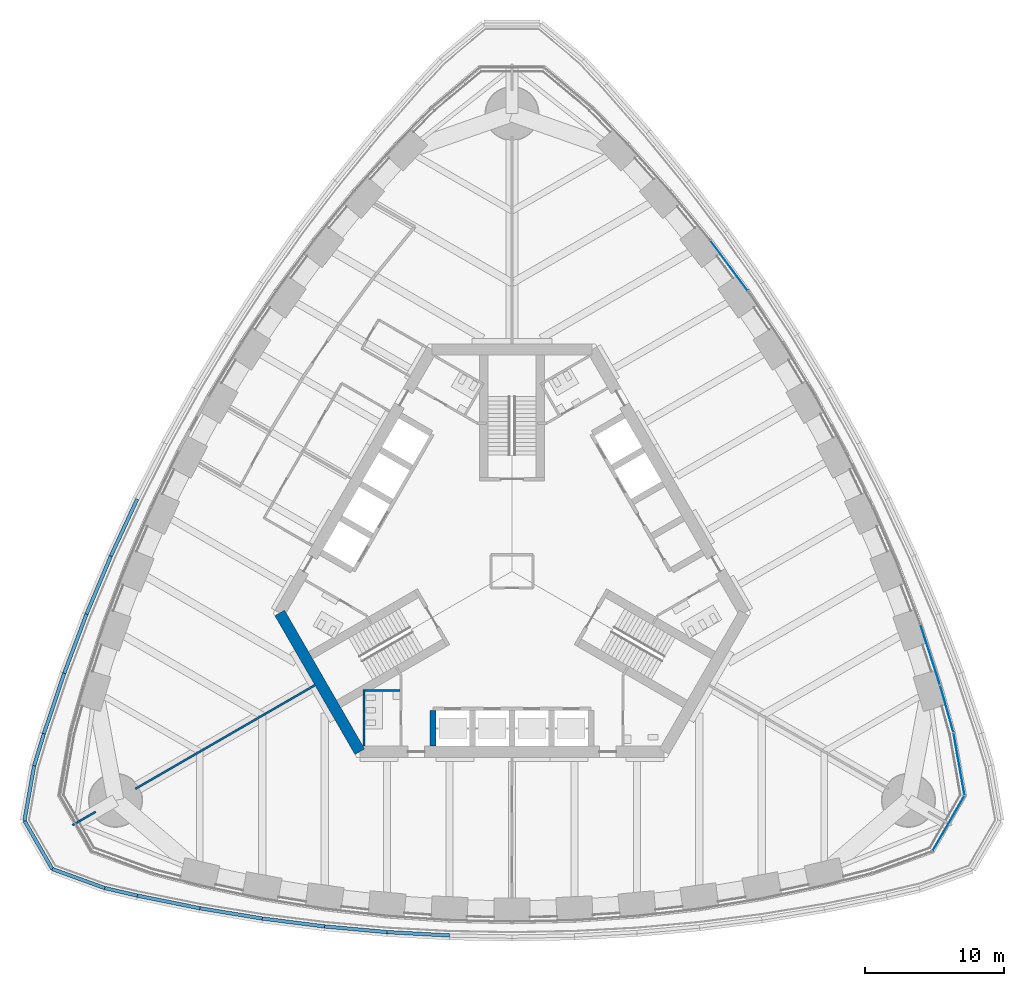
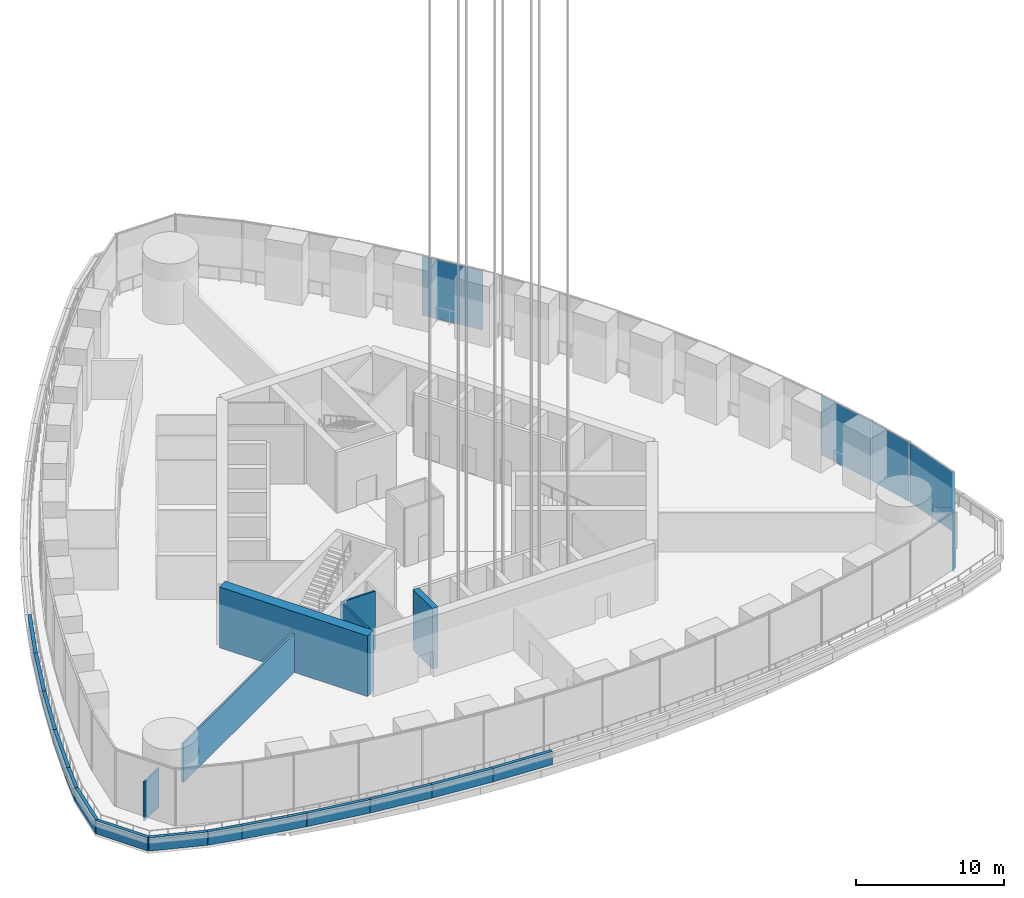
# One storey, part 12 of 31: 20 walls, 5 plates, 2 elements without a shape of their own.
"""IFC4 building model written with IfcOpenShell, lengths in metres."""

from ifc_helpers import new_model, si_unit, direction, frame, frame_2d, origin, origin_2d, place, context, subcontext, project, spatial, rectangle, extrude, material, layer, layer_set, type_object, element, aggregate, save


model = new_model("IFC4")

# Units and contexts
model_context = context("Model", 3, precision=1e-05, world=origin(), true_north=direction((0.0, 1.0)))
body_context = subcontext(model_context, "Body", "Model", "MODEL_VIEW")
ifc_project = project(units=[si_unit("LENGTHUNIT", "METRE"), si_unit("AREAUNIT", "SQUARE_METRE"), si_unit("VOLUMEUNIT", "CUBIC_METRE"), si_unit("PLANEANGLEUNIT", "RADIAN"), si_unit("MASSUNIT", "GRAM", prefix="KILO")], contexts=[model_context])

# Site, building, storey
site_placement = place(None, origin())
site = spatial("IfcSite", under=ifc_project, at=site_placement, CompositionType="ELEMENT")
building_placement = place(site_placement, origin())
building = spatial("IfcBuilding", under=site, at=building_placement, Name="Trefoil Bronze Tower", CompositionType="ELEMENT")
storey_placement = place(building_placement, frame((0.0, 0.0, 184.699951171875)))
storey = spatial("IfcBuildingStorey", under=building, at=storey_placement, Name="L42", CompositionType="ELEMENT", Elevation=184.699951171875)

# Curtain wall, plates
ifc_material_1 = material(Name="Tinted solar-control glass", Category="glass")
curtain_wall_type_1 = type_object("IfcCurtainWallType", Name="Bronze rounded corner curtain wall", PredefinedType="USERDEFINED", material=ifc_material_1)
curtain_wall_1_placement = place(storey_placement, origin())
curtain_wall_1 = element("IfcCurtainWall", 1, at=curtain_wall_1_placement, inside=storey, type_object=curtain_wall_type_1, Name="CW-B L42 K1", ObjectType="CURTAIN WALL", PredefinedType="USERDEFINED")
ifc_material_2 = material(Name="Tinted solar-control glass", Category="glass")
ifc_layer_1 = layer(ifc_material_2, 0.030029296875)
ifc_layer_set_1 = layer_set([ifc_layer_1], Name="Bronze rounded corner curtain wall glass panel")
plate_type_1 = type_object("IfcPlateType", Name="Bronze rounded corner curtain wall glass panel", PredefinedType="CURTAIN_PANEL", material=ifc_layer_set_1)
plate_1_placement = place(storey_placement, frame((31.46484375, -18.166259765625, 0.0), z_axis=(0.0, 0.0, 1.0), x_axis=(0.5, 0.866025403784, 0.0)))
plate_1 = element("IfcPlate", 2, at=plate_1_placement, type_object=plate_type_1, Name="CW-B L42 K1 panel 2", PredefinedType="CURTAIN_PANEL", context=body_context, shape_type="SweptSolid", body=[
    extrude(rectangle(XDim=4.500244140625, YDim=0.030029296875, at=origin_2d()), origin(), (0.0, 0.0, 1.0), 4.8798828125),
])
plate_2_placement = place(storey_placement, frame((32.220947265625, -13.878662109375, 0.0), z_axis=(0.0, 0.0, 1.0), x_axis=(-0.173648177667, 0.984807753012, 0.0)))
plate_2 = element("IfcPlate", 3, at=plate_2_placement, type_object=plate_type_1, Name="CW-B L42 K1 panel 3", PredefinedType="CURTAIN_PANEL", context=body_context, shape_type="SweptSolid", body=[
    extrude(rectangle(XDim=4.500244140625, YDim=0.030029296875, at=origin_2d()), origin(), (0.0, 0.0, 1.0), 4.8798828125),
])
aggregate(curtain_wall_1, [plate_1, plate_2])

ifc_material_3 = material(Name="Tinted solar-control glass", Category="glass")
curtain_wall_type_2 = type_object("IfcCurtainWallType", Name="Bronze sky lobby curtain wall", PredefinedType="USERDEFINED", material=ifc_material_3)
curtain_wall_2_placement = place(storey_placement, origin())
curtain_wall_2 = element("IfcCurtainWall", 4, at=curtain_wall_2_placement, inside=storey, type_object=curtain_wall_type_2, Name="CW-D L42 F2", ObjectType="CURTAIN WALL", PredefinedType="USERDEFINED")
ifc_material_4 = material(Name="Tinted solar-control glass", Category="glass")
ifc_layer_2 = layer(ifc_material_4, 0.030029296875)
ifc_layer_set_2 = layer_set([ifc_layer_2], Name="Bronze sky lobby curtain wall glass panel")
plate_type_2 = type_object("IfcPlateType", Name="Bronze sky lobby curtain wall glass panel", PredefinedType="CURTAIN_PANEL", material=ifc_layer_set_2)
plate_3_placement = place(storey_placement, frame((31.341064453125, -9.907958984375, 0.0), z_axis=(0.0, 0.0, 1.0), x_axis=(-0.270282222968, 0.962781138134, 0.0)))
plate_3 = element("IfcPlate", 5, at=plate_3_placement, type_object=plate_type_2, Name="CW-D L42 F2 panel 1", PredefinedType="CURTAIN_PANEL", context=body_context, shape_type="SweptSolid", body=[
    extrude(rectangle(XDim=3.503662109375, YDim=0.030029296875, at=origin_2d()), origin(), (0.0, 0.0, 1.0), 4.8798828125),
])
plate_4_placement = place(storey_placement, frame((30.14501953125, -6.002197265625, 0.0), z_axis=(0.0, 0.0, 1.0), x_axis=(-0.310148591821, 0.950688093431, 0.0)))
plate_4 = element("IfcPlate", 6, at=plate_4_placement, type_object=plate_type_2, Name="CW-D L42 F2 panel 2", PredefinedType="CURTAIN_PANEL", context=body_context, shape_type="SweptSolid", body=[
    extrude(rectangle(XDim=4.539306640625, YDim=0.030029296875, at=origin_2d()), origin(), (0.0, 0.0, 1.0), 4.8798828125),
])
plate_5_placement = place(storey_placement, frame((15.65234375, 22.04052734375, 0.0), z_axis=(0.0, 0.0, 1.0), x_axis=(-0.596161525977, 0.802864518425, 0.0)))
plate_5 = element("IfcPlate", 7, at=plate_5_placement, type_object=plate_type_2, Name="CW-D L42 F2 panel 9", PredefinedType="CURTAIN_PANEL", context=body_context, shape_type="SweptSolid", body=[
    extrude(rectangle(XDim=4.469970703125, YDim=0.030029296875, at=origin_2d()), origin(), (0.0, 0.0, 1.0), 4.8798828125),
])
aggregate(curtain_wall_2, [plate_3, plate_4, plate_5])

# Walls
ifc_material_5 = material(Name="Concrete B80", Category="concrete")
ifc_layer_3 = layer(ifc_material_5, 0.800048828125)
ifc_layer_set_3 = layer_set([ifc_layer_3], Name="Core wall 800")
wall_type_1 = type_object("IfcWallType", Name="Core wall 800", PredefinedType="SHEAR", material=ifc_layer_set_3)
wall_1_placement = place(storey_placement, frame((-16.7431640625, -3.0, 0.0), z_axis=(0.0, 0.0, 1.0), x_axis=(0.499995765644, -0.866027848477, 0.0)))
element("IfcWall", 8, at=wall_1_placement, inside=storey, type_object=wall_type_1, Name="Core short wall 3 L42", PredefinedType="SHEAR", context=body_context, shape_type="SweptSolid", body=[
    extrude(rectangle(XDim=11.546875, YDim=0.800048828125, at=frame_2d((5.7734375, 0.0))), origin(), (0.0, 0.0, 1.0), 5.0),
])
ifc_material_6 = material(Name="Concrete B80", Category="concrete")
ifc_layer_4 = layer(ifc_material_6, 0.449951171875)
ifc_layer_set_4 = layer_set([ifc_layer_4], Name="Outrigger shaft wall 450")
wall_type_2 = type_object("IfcWallType", Name="Outrigger shaft wall 450", PredefinedType="SHEAR", material=ifc_layer_set_4)
wall_2_placement = place(storey_placement, frame((-5.699951171875, -10.02490234375, 0.0), z_axis=(0.0, 0.0, 1.0), x_axis=(0.0, -1.0, 0.0)))
element("IfcWall", 9, at=wall_2_placement, inside=storey, type_object=wall_type_2, Name="Lift shaft side wall A0 L42", PredefinedType="SHEAR", context=body_context, shape_type="SweptSolid", body=[
    extrude(rectangle(XDim=2.5751953125, YDim=0.449951171875, at=frame_2d((1.28759765625, 0.0))), origin(), (0.0, 0.0, 1.0), 5.0),
])
ifc_material_7 = material(Name="Concrete B80", Category="concrete")
ifc_layer_5 = layer(ifc_material_7, 0.25)
ifc_layer_set_5 = layer_set([ifc_layer_5], Name="Parapet 250")
wall_type_3 = type_object("IfcWallType", Name="Parapet 250", PredefinedType="PARAPET", material=ifc_layer_set_5)
wall_3_placement = place(storey_placement, frame((-29.357666015625, -22.82470703125, 0.0), z_axis=(0.0, 0.0, 1.0), x_axis=(0.974203832844, -0.225669874089, 0.0)))
element("IfcWall", 10, at=wall_3_placement, inside=storey, type_object=wall_type_3, Name="Parapet L42.1", PredefinedType="PARAPET", context=body_context, shape_type="SweptSolid", body=[
    extrude(rectangle(XDim=2.420166015625, YDim=0.25, at=frame_2d((1.2099609375, 0.0))), origin(), (0.0, 0.0, 1.0), 1.10009765625),
])
wall_4_placement = place(storey_placement, frame((-27.0, -23.370849609375, 0.0), z_axis=(0.0, 0.0, 1.0), x_axis=(0.980152955069, -0.198242741781, 0.0)))
element("IfcWall", 11, at=wall_4_placement, inside=storey, type_object=wall_type_3, Name="Parapet L42.2", PredefinedType="PARAPET", context=body_context, shape_type="SweptSolid", body=[
    extrude(rectangle(XDim=4.591064453125, YDim=0.25, at=frame_2d((2.29541015625, 0.0))), origin(), (0.0, 0.0, 1.0), 1.10009765625),
])
wall_5_placement = place(storey_placement, frame((-22.5, -24.281005859375, 0.0), z_axis=(0.0, 0.0, 1.0), x_axis=(0.986764681833, -0.162158757664, 0.0)))
element("IfcWall", 12, at=wall_5_placement, inside=storey, type_object=wall_type_3, Name="Parapet L42.3", PredefinedType="PARAPET", context=body_context, shape_type="SweptSolid", body=[
    extrude(rectangle(XDim=4.560302734375, YDim=0.25, at=frame_2d((2.2802734375, 0.0))), origin(), (0.0, 0.0, 1.0), 1.10009765625),
])
wall_6_placement = place(storey_placement, frame((-18.0, -25.0205078125, 0.0), z_axis=(0.0, 0.0, 1.0), x_axis=(0.992010652594, -0.12615413247, 0.0)))
element("IfcWall", 13, at=wall_6_placement, inside=storey, type_object=wall_type_3, Name="Parapet L42.4", PredefinedType="PARAPET", context=body_context, shape_type="SweptSolid", body=[
    extrude(rectangle(XDim=4.5361328125, YDim=0.25, at=frame_2d((2.26806640625, 0.0))), origin(), (0.0, 0.0, 1.0), 1.10009765625),
])
wall_7_placement = place(storey_placement, frame((-13.5, -25.5927734375, 0.0), z_axis=(0.0, 0.0, 1.0), x_axis=(0.995930325215, -0.090126507295, 0.0)))
element("IfcWall", 14, at=wall_7_placement, inside=storey, type_object=wall_type_3, Name="Parapet L42.5", PredefinedType="PARAPET", context=body_context, shape_type="SweptSolid", body=[
    extrude(rectangle(XDim=4.518310546875, YDim=0.25, at=frame_2d((2.25927734375, 0.0))), origin(), (0.0, 0.0, 1.0), 1.10009765625),
])
wall_8_placement = place(storey_placement, frame((-9.0, -26.0, 0.0), z_axis=(0.0, 0.0, 1.0), x_axis=(0.998537376538, -0.054065771581, 0.0)))
element("IfcWall", 15, at=wall_8_placement, inside=storey, type_object=wall_type_3, Name="Parapet L42.6", PredefinedType="PARAPET", context=body_context, shape_type="SweptSolid", body=[
    extrude(rectangle(XDim=4.506591796875, YDim=0.25, at=frame_2d((2.25341796875, 0.0))), origin(), (0.0, 0.0, 1.0), 1.10009765625),
])
wall_9_placement = place(storey_placement, frame((-27.0166015625, 5.205810546875, 0.0), z_axis=(0.0, 0.0, 1.0), x_axis=(-0.41992827805, -0.90755729367, 0.0)))
element("IfcWall", 16, at=wall_9_placement, inside=storey, type_object=wall_type_3, Name="Parapet L42.44", PredefinedType="PARAPET", context=body_context, shape_type="SweptSolid", body=[
    extrude(rectangle(XDim=4.5185546875, YDim=0.25, at=frame_2d((2.25927734375, 0.0))), origin(), (0.0, 0.0, 1.0), 1.10009765625),
])
wall_10_placement = place(storey_placement, frame((-28.9140625, 1.10498046875, 0.0), z_axis=(0.0, 0.0, 1.0), x_axis=(-0.386762112496, -0.922179520667, 0.0)))
element("IfcWall", 17, at=wall_10_placement, inside=storey, type_object=wall_type_3, Name="Parapet L42.45", PredefinedType="PARAPET", context=body_context, shape_type="SweptSolid", body=[
    extrude(rectangle(XDim=4.5361328125, YDim=0.25, at=frame_2d((2.26806640625, 0.0))), origin(), (0.0, 0.0, 1.0), 1.10009765625),
])
wall_11_placement = place(storey_placement, frame((-30.66845703125, -3.078125, 0.0), z_axis=(0.0, 0.0, 1.0), x_axis=(-0.352894560512, -0.93566309597, 0.0)))
element("IfcWall", 18, at=wall_11_placement, inside=storey, type_object=wall_type_3, Name="Parapet L42.46", PredefinedType="PARAPET", context=body_context, shape_type="SweptSolid", body=[
    extrude(rectangle(XDim=4.560546875, YDim=0.25, at=frame_2d((2.2802734375, 0.0))), origin(), (0.0, 0.0, 1.0), 1.10009765625),
])
wall_12_placement = place(storey_placement, frame((-32.27783203125, -7.34521484375, 0.0), z_axis=(0.0, 0.0, 1.0), x_axis=(-0.318428474099, -0.947946890328, 0.0)))
element("IfcWall", 19, at=wall_12_placement, inside=storey, type_object=wall_type_3, Name="Parapet L42.47", PredefinedType="PARAPET", context=body_context, shape_type="SweptSolid", body=[
    extrude(rectangle(XDim=4.591064453125, YDim=0.25, at=frame_2d((2.29541015625, 0.0))), origin(), (0.0, 0.0, 1.0), 1.10009765625),
])
wall_13_placement = place(storey_placement, frame((-33.73974609375, -11.697265625, 0.0), z_axis=(0.0, 0.0, 1.0), x_axis=(-0.291639268075, -0.956528377685, 0.0)))
element("IfcWall", 20, at=wall_13_placement, inside=storey, type_object=wall_type_3, Name="Parapet L42.48", PredefinedType="PARAPET", context=body_context, shape_type="SweptSolid", body=[
    extrude(rectangle(XDim=2.420166015625, YDim=0.25, at=frame_2d((1.2099609375, 0.0))), origin(), (0.0, 0.0, 1.0), 1.10009765625),
])
for number, where, z_axis, x_axis, name in (
    (21, (-34.445556640625, -14.01220703125, 0.0), (0.0, 0.0, 1.0), (-0.173681366546, -0.984801900341, 0.0), "Parapet L42.49"),
    (22, (-35.1435546875, -17.969970703125, 0.0), (0.0, 0.0, 1.0), (0.500039726511, -0.866002466458, 0.0), "Parapet L42.50"),
    (23, (-33.134033203125, -21.4501953125, 0.0), (0.0, 0.0, 1.0), (0.939690503952, -0.342025959222, 0.0), "Parapet L42.51"),
):
    element("IfcWall", number, at=place(storey_placement, frame(where, z_axis=z_axis, x_axis=x_axis)), inside=storey, type_object=wall_type_3, Name=name, PredefinedType="PARAPET", context=body_context, shape_type="SweptSolid", body=[
        extrude(rectangle(XDim=4.018798828125, YDim=0.25, at=frame_2d((2.00927734375, 0.0))), origin(), (0.0, 0.0, 1.0), 1.10009765625),
    ])
ifc_material_8 = material(Name="Gypsum board on steel studs", Category="steel")
ifc_layer_6 = layer(ifc_material_8, 0.14990234375)
ifc_layer_set_6 = layer_set([ifc_layer_6], Name="Partition 150")
wall_type_4 = type_object("IfcWallType", Name="Partition 150", PredefinedType="PARTITIONING", material=ifc_layer_set_6)
wall_14_placement = place(storey_placement, frame((-10.659912109375, -8.5, 0.0), z_axis=(0.0, 0.0, 1.0), x_axis=(0.0, -1.0, 0.0)))
element("IfcWall", 24, at=wall_14_placement, inside=storey, type_object=wall_type_4, Name="WC partition WC (women) L42", PredefinedType="PARTITIONING", context=body_context, shape_type="SweptSolid", body=[
    extrude(rectangle(XDim=4.10009765625, YDim=0.14990234375, at=frame_2d((2.050048828125, 0.0))), origin(), (0.0, 0.0, 1.0), 4.800048828125),
])
wall_15_placement = place(storey_placement, frame((-8.074951171875, -8.574951171875, 0.0), z_axis=(0.0, 0.0, 1.0), x_axis=(-1.0, 0.0, 0.0)))
element("IfcWall", 25, at=wall_15_placement, inside=storey, type_object=wall_type_4, Name="WC partition WC (women) L42", PredefinedType="PARTITIONING", context=body_context, shape_type="SweptSolid", body=[
    extrude(rectangle(XDim=2.510009765625, YDim=0.14990234375, at=frame_2d((1.2548828125, 0.0))), origin(), (0.0, 0.0, 1.0), 4.800048828125),
])
ifc_material_9 = material(Name="Gypsum board on steel studs", Category="steel")
ifc_layer_7 = layer(ifc_material_9, 0.14990234375)
ifc_layer_set_7 = layer_set([ifc_layer_7], Name="Party wall 150")
wall_type_5 = type_object("IfcWallType", Name="Party wall 150", PredefinedType="PARTITIONING", material=ifc_layer_set_7)
wall_16_placement = place(storey_placement, frame((-14.202880859375, -8.199951171875, 0.0), z_axis=(0.0, 0.0, 1.0), x_axis=(-0.866021600284, -0.500006587798, 0.0)))
element("IfcWall", 26, at=wall_16_placement, inside=storey, type_object=wall_type_5, Name="Party wall K3 L42", PredefinedType="PARTITIONING", context=body_context, shape_type="SweptSolid", body=[
    extrude(rectangle(XDim=14.949951171875, YDim=0.14990234375, at=frame_2d((7.47509765625, 0.0))), origin(), (0.0, 0.0, 1.0), 3.199951171875),
])
wall_17_placement = place(storey_placement, frame((-30.0078125, -17.324951171875, 0.0), z_axis=(0.0, 0.0, 1.0), x_axis=(-0.866013246922, -0.500021055713, 0.0)))
element("IfcWall", 27, at=wall_17_placement, inside=storey, type_object=wall_type_5, Name="Party wall K3 L42", PredefinedType="PARTITIONING", context=body_context, shape_type="SweptSolid", body=[
    extrude(rectangle(XDim=1.9345703125, YDim=0.14990234375, at=frame_2d((0.96728515625, 0.0))), origin(), (0.0, 0.0, 1.0), 3.199951171875),
])

save(model, "model.ifc")
